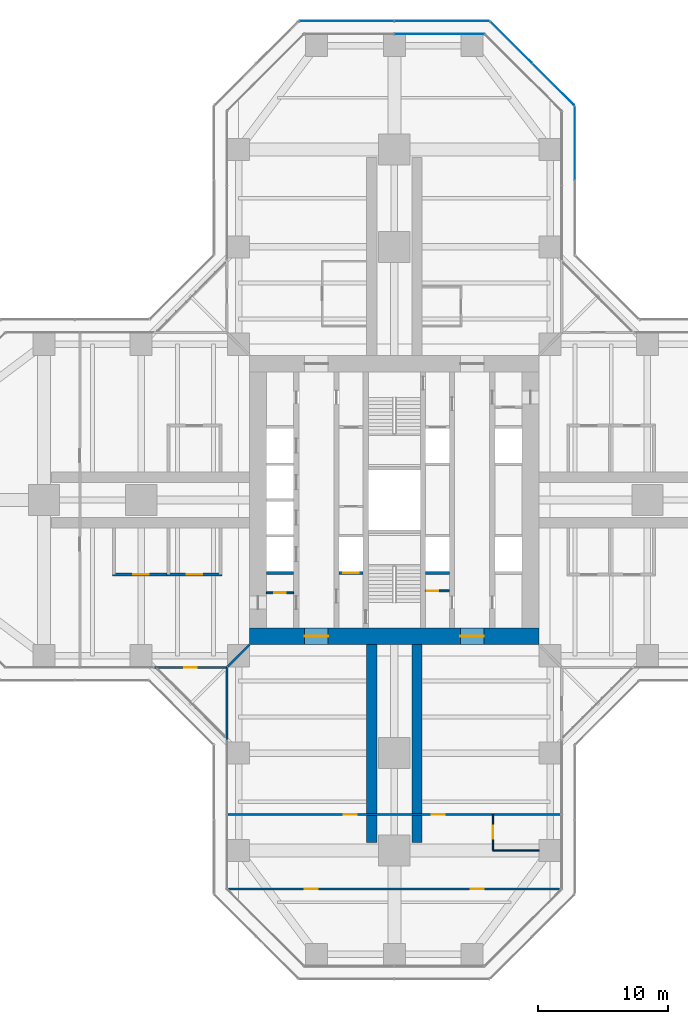
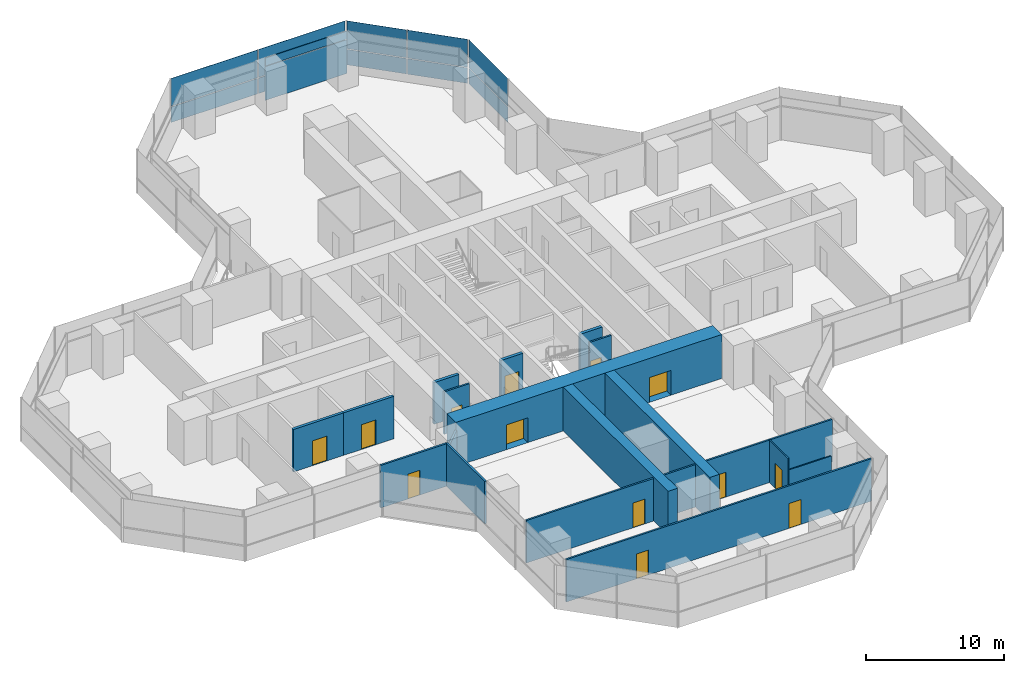
# One storey, part 17 of 22: 17 walls, 13 doors, 12 plates, 13 openings, 4 elements without a shape of their own.
"""IFC4 building model written with IfcOpenShell, lengths in metres."""

from ifc_helpers import new_model, si_unit, direction, frame, frame_2d, origin, origin_2d, place, context, subcontext, project, spatial, rectangle, extrude, material, layer, layer_set, type_object, element, fill, aggregate, save


model = new_model("IFC4")

# Units and contexts
model_context = context("Model", 3, precision=1e-05, world=origin(), true_north=direction((0.0, 1.0)))
body_context = subcontext(model_context, "Body", "Model", "MODEL_VIEW")
ifc_project = project(units=[si_unit("LENGTHUNIT", "METRE"), si_unit("AREAUNIT", "SQUARE_METRE"), si_unit("VOLUMEUNIT", "CUBIC_METRE"), si_unit("PLANEANGLEUNIT", "RADIAN"), si_unit("MASSUNIT", "GRAM", prefix="KILO")], contexts=[model_context])

# Site, building, storey
site_placement = place(None, origin())
site = spatial("IfcSite", under=ifc_project, at=site_placement, CompositionType="ELEMENT")
building_placement = place(site_placement, origin())
building = spatial("IfcBuilding", under=site, at=building_placement, Name="Mizan Broadcast Tower", CompositionType="ELEMENT")
storey_placement = place(building_placement, frame((0.0, 0.0, 55.199951171875)))
storey = spatial("IfcBuildingStorey", under=building, at=storey_placement, Name="L10", CompositionType="ELEMENT", Elevation=55.199951171875)

# Curtain wall, plates
ifc_material_1 = material(Name="Aluminium framed glazing", Category="aluminium")
curtain_wall_type_1 = type_object("IfcCurtainWallType", Name="INNER SKIN LOW ZONE", PredefinedType="USERDEFINED", material=ifc_material_1)
curtain_wall_1_placement = place(storey_placement, origin())
curtain_wall_1 = element("IfcCurtainWall", 1, at=curtain_wall_1_placement, inside=storey, type_object=curtain_wall_type_1, Name="Inner skin low zone L10 N end", ObjectType="INNER SKIN LOW ZONE", PredefinedType="USERDEFINED")
ifc_material_2 = material(Name="Double glazing, clear low-e", Category="glass")
ifc_layer_1 = layer(ifc_material_2, 0.028076171875)
ifc_layer_set_1 = layer_set([ifc_layer_1], Name="Double glazing, clear low-e")
plate_type_1 = type_object("IfcPlateType", Name="INNER SKIN GLAZING UNIT", PredefinedType="CURTAIN_PANEL", material=ifc_layer_set_1)
plate_1_placement = place(storey_placement, frame((3.46435546875, 35.89990234375, 0.0), z_axis=(0.0, 0.0, 1.0), x_axis=(-1.0, 0.0, 0.0)))
plate_1 = element("IfcPlate", 2, at=plate_1_placement, type_object=plate_type_1, Name="Inner skin low zone L10 N end panel 1.1", PredefinedType="CURTAIN_PANEL", context=body_context, shape_type="SweptSolid", body=[
    extrude(rectangle(XDim=6.86865234375, YDim=0.028076171875, at=origin_2d()), origin(), (0.0, 0.0, 1.0), 3.0),
])
ifc_material_3 = material(Name="Insulated aluminium spandrel panel, pale anodised", Category="aluminium")
ifc_layer_2 = layer(ifc_material_3, 0.050048828125)
ifc_layer_set_2 = layer_set([ifc_layer_2], Name="Insulated aluminium spandrel panel, pale anodised")
plate_type_2 = type_object("IfcPlateType", Name="INNER SKIN SPANDREL PANEL", PredefinedType="CURTAIN_PANEL", material=ifc_layer_set_2)
plate_2_placement = place(storey_placement, frame((3.46435546875, 35.89990234375, 3.06005859375), z_axis=(0.0, 0.0, 1.0), x_axis=(-1.0, 0.0, 0.0)))
plate_2 = element("IfcPlate", 3, at=plate_2_placement, type_object=plate_type_2, Name="Inner skin low zone L10 N end panel 1.2", PredefinedType="CURTAIN_PANEL", context=body_context, shape_type="SweptSolid", body=[
    extrude(rectangle(XDim=6.86865234375, YDim=0.050048828125, at=origin_2d()), origin(), (0.0, 0.0, 1.0), 0.7099609375),
])
aggregate(curtain_wall_1, [plate_1, plate_2])

ifc_material_4 = material(Name="Aluminium framed glazing", Category="aluminium")
curtain_wall_type_2 = type_object("IfcCurtainWallType", Name="OUTER SKIN", PredefinedType="USERDEFINED", material=ifc_material_4)
curtain_wall_2_placement = place(storey_placement, origin())
curtain_wall_2 = element("IfcCurtainWall", 4, at=curtain_wall_2_placement, inside=storey, type_object=curtain_wall_type_2, Name="Outer skin L10 N chamfer", ObjectType="OUTER SKIN", PredefinedType="USERDEFINED")
ifc_material_5 = material(Name="Laminated clear glass", Category="glass")
ifc_layer_3 = layer(ifc_material_5, 0.02001953125)
ifc_layer_set_3 = layer_set([ifc_layer_3], Name="Laminated clear glass")
plate_type_3 = type_object("IfcPlateType", Name="OUTER SKIN CLEAR GLASS", PredefinedType="CURTAIN_PANEL", material=ifc_layer_set_3)
plate_3_placement = place(storey_placement, frame((12.254150390625, 32.018798828125, 0.0), z_axis=(0.0, 0.0, 1.0), x_axis=(-0.707106781187, 0.707106781187, 0.0)))
plate_3 = element("IfcPlate", 5, at=plate_3_placement, type_object=plate_type_3, Name="Outer skin L10 N chamfer panel 1.1", PredefinedType="CURTAIN_PANEL", context=body_context, shape_type="SweptSolid", body=[
    extrude(rectangle(XDim=4.495361328125, YDim=0.02001953125, at=origin_2d()), origin(), (0.0, 0.0, 1.0), 1.3701171875),
])
plate_4_placement = place(storey_placement, frame((12.254150390625, 32.018798828125, 1.43017578125), z_axis=(0.0, 0.0, 1.0), x_axis=(-0.707106781187, 0.707106781187, 0.0)))
plate_4 = element("IfcPlate", 6, at=plate_4_placement, type_object=plate_type_3, Name="Outer skin L10 N chamfer panel 1.2", PredefinedType="CURTAIN_PANEL", context=body_context, shape_type="SweptSolid", body=[
    extrude(rectangle(XDim=4.495361328125, YDim=0.02001953125, at=origin_2d()), origin(), (0.0, 0.0, 1.0), 2.469970703125),
])

curtain_wall_3_placement = place(storey_placement, origin())
curtain_wall_3 = element("IfcCurtainWall", 7, at=curtain_wall_3_placement, inside=storey, type_object=curtain_wall_type_2, Name="Outer skin L10 N end", ObjectType="OUTER SKIN", PredefinedType="USERDEFINED")
plate_5_placement = place(storey_placement, frame((3.66650390625, 36.89990234375, 0.0), z_axis=(0.0, 0.0, 1.0), x_axis=(-1.0, 0.0, 0.0)))
plate_5 = element("IfcPlate", 8, at=plate_5_placement, type_object=plate_type_3, Name="Outer skin L10 N end panel 1.1", PredefinedType="CURTAIN_PANEL", context=body_context, shape_type="SweptSolid", body=[
    extrude(rectangle(XDim=7.252685546875, YDim=0.02001953125, at=origin_2d()), origin(), (0.0, 0.0, 1.0), 1.3701171875),
])
plate_6_placement = place(storey_placement, frame((3.66650390625, 36.89990234375, 1.43017578125), z_axis=(0.0, 0.0, 1.0), x_axis=(-1.0, 0.0, 0.0)))
plate_6 = element("IfcPlate", 9, at=plate_6_placement, type_object=plate_type_3, Name="Outer skin L10 N end panel 1.2", PredefinedType="CURTAIN_PANEL", context=body_context, shape_type="SweptSolid", body=[
    extrude(rectangle(XDim=7.252685546875, YDim=0.02001953125, at=origin_2d()), origin(), (0.0, 0.0, 1.0), 2.469970703125),
])
plate_7_placement = place(storey_placement, frame((-3.66650390625, 36.89990234375, 0.0), z_axis=(0.0, 0.0, 1.0), x_axis=(-1.0, 0.0, 0.0)))
plate_7 = element("IfcPlate", 10, at=plate_7_placement, type_object=plate_type_3, Name="Outer skin L10 N end panel 2.1", PredefinedType="CURTAIN_PANEL", context=body_context, shape_type="SweptSolid", body=[
    extrude(rectangle(XDim=7.252685546875, YDim=0.02001953125, at=origin_2d()), origin(), (0.0, 0.0, 1.0), 1.3701171875),
])
plate_8_placement = place(storey_placement, frame((-3.66650390625, 36.89990234375, 1.43017578125), z_axis=(0.0, 0.0, 1.0), x_axis=(-1.0, 0.0, 0.0)))
plate_8 = element("IfcPlate", 11, at=plate_8_placement, type_object=plate_type_3, Name="Outer skin L10 N end panel 2.2", PredefinedType="CURTAIN_PANEL", context=body_context, shape_type="SweptSolid", body=[
    extrude(rectangle(XDim=7.252685546875, YDim=0.02001953125, at=origin_2d()), origin(), (0.0, 0.0, 1.0), 2.469970703125),
])
aggregate(curtain_wall_3, [plate_5, plate_6, plate_7, plate_8])

curtain_wall_4_placement = place(storey_placement, origin())
curtain_wall_4 = element("IfcCurtainWall", 12, at=curtain_wall_4_placement, inside=storey, type_object=curtain_wall_type_2, Name="Outer skin L10 N side", ObjectType="OUTER SKIN", PredefinedType="USERDEFINED")
ifc_material_6 = material(Name="Perforated aluminium, pale anodised", Category="aluminium")
ifc_layer_4 = layer(ifc_material_6, 0.011962890625)
ifc_layer_set_4 = layer_set([ifc_layer_4], Name="Perforated aluminium, pale anodised")
plate_type_4 = type_object("IfcPlateType", Name="OUTER SKIN PERFORATED SCREEN", PredefinedType="USERDEFINED", material=ifc_layer_set_4)
plate_9_placement = place(storey_placement, frame((13.89990234375, 27.477783203125, 0.0), z_axis=(0.0, 0.0, 1.0), x_axis=(0.0, 1.0, 0.0)))
plate_9 = element("IfcPlate", 13, at=plate_9_placement, type_object=plate_type_4, Name="Outer skin L10 N side panel 2.1", ObjectType="SCREEN", PredefinedType="USERDEFINED", context=body_context, shape_type="SweptSolid", body=[
    extrude(rectangle(XDim=5.6298828125, YDim=0.011962890625, at=origin_2d()), origin(), (0.0, 0.0, 1.0), 1.3701171875),
])
plate_10_placement = place(storey_placement, frame((13.89990234375, 27.477783203125, 1.43017578125), z_axis=(0.0, 0.0, 1.0), x_axis=(0.0, 1.0, 0.0)))
plate_10 = element("IfcPlate", 14, at=plate_10_placement, type_object=plate_type_4, Name="Outer skin L10 N side panel 2.2", ObjectType="SCREEN", PredefinedType="USERDEFINED", context=body_context, shape_type="SweptSolid", body=[
    extrude(rectangle(XDim=5.6298828125, YDim=0.011962890625, at=origin_2d()), origin(), (0.0, 0.0, 1.0), 2.469970703125),
])
aggregate(curtain_wall_4, [plate_9, plate_10])

# Plate
plate_11_placement = place(storey_placement, frame((9.018798828125, 35.254150390625, 0.0), z_axis=(0.0, 0.0, 1.0), x_axis=(-0.707106781187, 0.707106781187, 0.0)))
plate_11 = element("IfcPlate", 15, at=plate_11_placement, type_object=plate_type_4, Name="Outer skin L10 N chamfer panel 2.1", ObjectType="SCREEN", PredefinedType="USERDEFINED", context=body_context, shape_type="SweptSolid", body=[
    extrude(rectangle(XDim=4.495361328125, YDim=0.011962890625, at=origin_2d()), origin(), (0.0, 0.0, 1.0), 1.3701171875),
])

plate_12_placement = place(storey_placement, frame((9.018798828125, 35.254150390625, 1.43017578125), z_axis=(0.0, 0.0, 1.0), x_axis=(-0.707106781187, 0.707106781187, 0.0)))
plate_12 = element("IfcPlate", 16, at=plate_12_placement, type_object=plate_type_4, Name="Outer skin L10 N chamfer panel 2.2", ObjectType="SCREEN", PredefinedType="USERDEFINED", context=body_context, shape_type="SweptSolid", body=[
    extrude(rectangle(XDim=4.495361328125, YDim=0.011962890625, at=origin_2d()), origin(), (0.0, 0.0, 1.0), 2.469970703125),
])

aggregate(curtain_wall_2, [plate_3, plate_4, plate_11, plate_12])

# Wall, opening, door
ifc_material_7 = material(Name="Concrete blockwork", Category="masonry")
ifc_layer_5 = layer(ifc_material_7, 0.14990234375)
ifc_layer_set_5 = layer_set([ifc_layer_5], Name="Concrete blockwork")
wall_type_1 = type_object("IfcWallType", Name="CORE PARTITION 150", PredefinedType="SOLIDWALL", material=ifc_layer_set_5)
wall_1_placement = place(storey_placement, frame((2.39990234375, -7.0, 0.0), z_axis=(0.0, 0.0, 1.0), x_axis=(1.0, 0.0, 0.0)))
wall_1 = element("IfcWall", 17, at=wall_1_placement, inside=storey, type_object=wall_type_1, Name="Core partition CORE/XPC", PredefinedType="SOLIDWALL", context=body_context, shape_type="SweptSolid", body=[
    extrude(rectangle(XDim=1.85009765625, YDim=0.14990234375, at=frame_2d((0.925048828125, 0.0))), origin(), (0.0, 0.0, 1.0), 3.77001953125),
])
opening_1_placement = place(wall_1_placement, frame((0.10009765625, 0.0, 0.0)))
opening_1 = element("IfcOpeningElement", 18, at=opening_1_placement, cuts=wall_1, Name="Opening D09F", PredefinedType="OPENING", context=body_context, shape_type="SweptSolid", body=[
    extrude(rectangle(XDim=0.89990234375, YDim=2.10009765625, at=frame_2d((0.449951171875, 1.050048828125))), frame((0.0, 0.0849609375, 0.0), z_axis=(0.0, -1.0, 0.0), x_axis=(1.0, 0.0, 0.0)), (0.0, 0.0, 1.0), 0.169921875),
])
ifc_material_8 = material(Name="Steel door leaf in steel frame", Category="steel")
door_type_1 = type_object("IfcDoorType", Name="CORE ROOM DOOR 900 FD90", OperationType="SINGLE_SWING_LEFT", PredefinedType="DOOR", material=ifc_material_8)
door_1_placement = place(opening_1_placement, origin())
door_1 = element("IfcDoor", 19, at=door_1_placement, inside=storey, type_object=door_type_1, Name="Cleaning materials store door", OperationType="SINGLE_SWING_LEFT", OverallHeight=2.10009765625, OverallWidth=0.89990234375, PredefinedType="DOOR", context=body_context, shape_type="SweptSolid", body=[
    extrude(rectangle(XDim=0.89990234375, YDim=2.10009765625, at=frame_2d((0.449951171875, 1.050048828125))), frame((0.0, 0.02490234375, 0.0), z_axis=(0.0, -1.0, 0.0), x_axis=(1.0, 0.0, 0.0)), (0.0, 0.0, 1.0), 0.050048828125),
])
fill(opening_1, door_1)

wall_2_placement = place(storey_placement, frame((-9.85009765625, -7.14990234375, 0.0), z_axis=(0.0, 0.0, 1.0), x_axis=(1.0, 0.0, 0.0)))
wall_2 = element("IfcWall", 20, at=wall_2_placement, inside=storey, type_object=wall_type_1, Name="Core partition CORE/XPW", PredefinedType="SOLIDWALL", context=body_context, shape_type="SweptSolid", body=[
    extrude(rectangle(XDim=2.10009765625, YDim=0.14990234375, at=frame_2d((1.050048828125, 0.0))), origin(), (0.0, 0.0, 1.0), 3.77001953125),
])
opening_2_placement = place(wall_2_placement, frame((0.60009765625, 0.0, 0.0)))
opening_2 = element("IfcOpeningElement", 21, at=opening_2_placement, cuts=wall_2, Name="Opening D09F", PredefinedType="OPENING", context=body_context, shape_type="SweptSolid", body=[
    extrude(rectangle(XDim=0.89990234375, YDim=2.10009765625, at=frame_2d((0.449951171875, 1.050048828125))), frame((0.0, 0.0849609375, 0.0), z_axis=(0.0, -1.0, 0.0), x_axis=(1.0, 0.0, 0.0)), (0.0, 0.0, 1.0), 0.169921875),
])
door_2_placement = place(opening_2_placement, origin())
door_2 = element("IfcDoor", 22, at=door_2_placement, inside=storey, type_object=door_type_1, Name="Fire hose reel cupboard door", OperationType="SINGLE_SWING_RIGHT", OverallHeight=2.10009765625, OverallWidth=0.89990234375, PredefinedType="DOOR", context=body_context, shape_type="SweptSolid", body=[
    extrude(rectangle(XDim=0.89990234375, YDim=2.10009765625, at=frame_2d((0.449951171875, 1.050048828125))), frame((0.0, 0.02490234375, 0.0), z_axis=(0.0, -1.0, 0.0), x_axis=(1.0, 0.0, 0.0)), (0.0, 0.0, 1.0), 0.050048828125),
])
fill(opening_2, door_2)

# Wall, openings, doors
ifc_material_9 = material(Name="Concrete C70/85", Category="concrete")
ifc_layer_6 = layer(ifc_material_9, 1.300048828125)
ifc_layer_set_6 = layer_set([ifc_layer_6], Name="Concrete C70/85")
wall_type_2 = type_object("IfcWallType", Name="CORE WALL 1300", PredefinedType="SHEAR", material=ifc_layer_set_6)
wall_3_placement = place(storey_placement, frame((11.14990234375, -10.5, 0.0), z_axis=(0.0, 0.0, 1.0), x_axis=(-1.0, 0.0, 0.0)))
wall_3 = element("IfcWall", 23, at=wall_3_placement, inside=storey, type_object=wall_type_2, Name="Core wall S L10", PredefinedType="SHEAR", context=body_context, shape_type="SweptSolid", body=[
    extrude(rectangle(XDim=22.2998046875, YDim=1.300048828125, at=frame_2d((11.14990234375, 0.0))), origin(), (0.0, 0.0, 1.0), 3.900146484375),
])
opening_3_placement = place(wall_3_placement, frame((16.25, 0.0, 0.0)))
opening_3 = element("IfcOpeningElement", 24, at=opening_3_placement, cuts=wall_3, Name="Opening D18F", PredefinedType="OPENING", context=body_context, shape_type="SweptSolid", body=[
    extrude(rectangle(XDim=1.800048828125, YDim=2.199951171875, at=frame_2d((0.89990234375, 1.10009765625))), frame((0.0, 0.659912109375, 0.0), z_axis=(0.0, -1.0, 0.0), x_axis=(1.0, 0.0, 0.0)), (0.0, 0.0, 1.0), 1.320068359375),
])
opening_4_placement = place(wall_3_placement, frame((4.25, 0.0, 0.0)))
opening_4 = element("IfcOpeningElement", 25, at=opening_4_placement, cuts=wall_3, Name="Opening D18F", PredefinedType="OPENING", context=body_context, shape_type="SweptSolid", body=[
    extrude(rectangle(XDim=1.800048828125, YDim=2.199951171875, at=frame_2d((0.89990234375, 1.10009765625))), frame((0.0, 0.659912109375, 0.0), z_axis=(0.0, -1.0, 0.0), x_axis=(1.0, 0.0, 0.0)), (0.0, 0.0, 1.0), 1.320068359375),
])
ifc_material_10 = material(Name="Steel door leaf in steel frame", Category="steel")
door_type_2 = type_object("IfcDoorType", Name="LOBBY DOUBLE DOOR 1800 FD90", OperationType="DOUBLE_DOOR_DOUBLE_SWING", PredefinedType="DOOR", material=ifc_material_10)
door_3_placement = place(opening_3_placement, origin())
door_3 = element("IfcDoor", 26, at=door_3_placement, inside=storey, type_object=door_type_2, Name="West lift lobby south door", OperationType="DOUBLE_DOOR_DOUBLE_SWING", OverallHeight=2.199951171875, OverallWidth=1.800048828125, PredefinedType="DOOR", context=body_context, shape_type="SweptSolid", body=[
    extrude(rectangle(XDim=1.800048828125, YDim=2.199951171875, at=frame_2d((0.89990234375, 1.10009765625))), frame((0.0, 0.02490234375, 0.0), z_axis=(0.0, -1.0, 0.0), x_axis=(1.0, 0.0, 0.0)), (0.0, 0.0, 1.0), 0.050048828125),
])
fill(opening_3, door_3)
door_4_placement = place(opening_4_placement, origin())
door_4 = element("IfcDoor", 27, at=door_4_placement, inside=storey, type_object=door_type_2, Name="East lift lobby south door", OperationType="DOUBLE_DOOR_DOUBLE_SWING", OverallHeight=2.199951171875, OverallWidth=1.800048828125, PredefinedType="DOOR", context=body_context, shape_type="SweptSolid", body=[
    extrude(rectangle(XDim=1.800048828125, YDim=2.199951171875, at=frame_2d((0.89990234375, 1.10009765625))), frame((0.0, 0.02490234375, 0.0), z_axis=(0.0, -1.0, 0.0), x_axis=(1.0, 0.0, 0.0)), (0.0, 0.0, 1.0), 0.050048828125),
])
fill(opening_4, door_4)

# Wall, opening, door
ifc_material_11 = material(Name="Aluminium framed glazed screen", Category="aluminium")
ifc_layer_7 = layer(ifc_material_11, 0.159912109375)
ifc_layer_set_7 = layer_set([ifc_layer_7], Name="Aluminium framed glazed screen")
wall_type_3 = type_object("IfcWallType", Name="GLAZED SCREEN WALL 160", PredefinedType="SOLIDWALL", material=ifc_layer_set_7)
wall_4_placement = place(storey_placement, frame((-18.5, -12.89990234375, 0.0), z_axis=(0.0, 0.0, 1.0), x_axis=(1.0, 0.0, 0.0)))
wall_4 = element("IfcWall", 28, at=wall_4_placement, inside=storey, type_object=wall_type_3, Name="Winter garden screen L10 W", PredefinedType="SOLIDWALL", context=body_context, shape_type="SweptSolid", body=[
    extrude(rectangle(XDim=5.60009765625, YDim=0.159912109375, at=frame_2d((2.800048828125, 0.0))), origin(), (0.0, 0.0, 1.0), 3.77001953125),
])
opening_5_placement = place(wall_4_placement, frame((2.300048828125, 0.0, 0.0)))
opening_5 = element("IfcOpeningElement", 29, at=opening_5_placement, cuts=wall_4, Name="Opening WGD", PredefinedType="OPENING", context=body_context, shape_type="SweptSolid", body=[
    extrude(rectangle(XDim=1.0, YDim=2.199951171875, at=frame_2d((0.5, 1.10009765625))), frame((0.0, 0.08984375, 0.0), z_axis=(0.0, -1.0, 0.0), x_axis=(1.0, 0.0, 0.0)), (0.0, 0.0, 1.0), 0.179931640625),
])
ifc_material_12 = material(Name="Aluminium framed glazed door", Category="aluminium")
door_type_3 = type_object("IfcDoorType", Name="WINTER GARDEN DOOR 1000 GLAZED", OperationType="SINGLE_SWING_LEFT", PredefinedType="DOOR", material=ifc_material_12)
door_5_placement = place(opening_5_placement, origin())
door_5 = element("IfcDoor", 30, at=door_5_placement, inside=storey, type_object=door_type_3, Name="Winter garden door L10 W", OperationType="SINGLE_SWING_RIGHT", OverallHeight=2.199951171875, OverallWidth=1.0, PredefinedType="DOOR", context=body_context, shape_type="SweptSolid", body=[
    extrude(rectangle(XDim=1.0, YDim=2.199951171875, at=frame_2d((0.5, 1.10009765625))), frame((0.0, 0.02490234375, 0.0), z_axis=(0.0, -1.0, 0.0), x_axis=(1.0, 0.0, 0.0)), (0.0, 0.0, 1.0), 0.050048828125),
])
fill(opening_5, door_5)

# Walls
wall_5_placement = place(storey_placement, frame((-12.89990234375, -12.89990234375, 0.0), z_axis=(0.0, 0.0, 1.0), x_axis=(0.0, -1.0, 0.0)))
element("IfcWall", 31, at=wall_5_placement, inside=storey, type_object=wall_type_3, Name="Winter garden screen L10 S", PredefinedType="SOLIDWALL", context=body_context, shape_type="SweptSolid", body=[
    extrude(rectangle(XDim=5.60009765625, YDim=0.159912109375, at=frame_2d((2.800048828125, 0.0))), origin(), (0.0, 0.0, 1.0), 3.77001953125),
])
ifc_material_13 = material(Name="Concrete blockwork", Category="masonry")
ifc_layer_8 = layer(ifc_material_13, 0.25)
ifc_layer_set_8 = layer_set([ifc_layer_8], Name="Concrete blockwork")
wall_type_4 = type_object("IfcWallType", Name="LOBBY ENCLOSURE WALL 250", PredefinedType="SOLIDWALL", material=ifc_layer_set_8)
wall_6_placement = place(storey_placement, frame((-9.85009765625, -5.625, 0.0), z_axis=(0.0, 0.0, 1.0), x_axis=(1.0, 0.0, 0.0)))
element("IfcWall", 32, at=wall_6_placement, inside=storey, type_object=wall_type_4, Name="Lobby enclosure wall CORE/BW1S", PredefinedType="SOLIDWALL", context=body_context, shape_type="SweptSolid", body=[
    extrude(rectangle(XDim=2.10009765625, YDim=0.25, at=frame_2d((1.050048828125, 0.0))), origin(), (0.0, 0.0, 1.0), 3.699951171875),
])

# Wall, opening, door
wall_7_placement = place(storey_placement, frame((-4.25, -5.625, 0.0), z_axis=(0.0, 0.0, 1.0), x_axis=(1.0, 0.0, 0.0)))
wall_7 = element("IfcWall", 33, at=wall_7_placement, inside=storey, type_object=wall_type_4, Name="Lobby enclosure wall CORE/BW2S", PredefinedType="SOLIDWALL", context=body_context, shape_type="SweptSolid", body=[
    extrude(rectangle(XDim=1.85009765625, YDim=0.25, at=frame_2d((0.925048828125, 0.0))), origin(), (0.0, 0.0, 1.0), 3.699951171875),
])
opening_6_placement = place(wall_7_placement, frame((0.324951171875, 0.0, 0.0)))
opening_6 = element("IfcOpeningElement", 34, at=opening_6_placement, cuts=wall_7, Name="Opening LDF", PredefinedType="OPENING", context=body_context, shape_type="SweptSolid", body=[
    extrude(rectangle(XDim=1.199951171875, YDim=2.199951171875, at=frame_2d((0.60009765625, 1.10009765625))), frame((0.0, 0.135009765625, 0.0), z_axis=(0.0, -1.0, 0.0), x_axis=(1.0, 0.0, 0.0)), (0.0, 0.0, 1.0), 0.27001953125),
])
ifc_material_14 = material(Name="Steel door leaf in steel frame", Category="steel")
door_type_4 = type_object("IfcDoorType", Name="FIREFIGHTING LIFT LANDING DOOR 1200", OperationType="SLIDING_TO_LEFT", PredefinedType="DOOR", material=ifc_material_14)
door_6_placement = place(opening_6_placement, origin())
door_6 = element("IfcDoor", 35, at=door_6_placement, inside=storey, type_object=door_type_4, Name="Landing door FF1", OperationType="SLIDING_TO_LEFT", OverallHeight=2.199951171875, OverallWidth=1.199951171875, PredefinedType="DOOR", context=body_context, shape_type="SweptSolid", body=[
    extrude(rectangle(XDim=1.199951171875, YDim=2.199951171875, at=frame_2d((0.60009765625, 1.10009765625))), frame((0.0, 0.02490234375, 0.0), z_axis=(0.0, -1.0, 0.0), x_axis=(1.0, 0.0, 0.0)), (0.0, 0.0, 1.0), 0.050048828125),
])
fill(opening_6, door_6)

# Wall
wall_8_placement = place(storey_placement, frame((2.39990234375, -5.625, 0.0), z_axis=(0.0, 0.0, 1.0), x_axis=(1.0, 0.0, 0.0)))
element("IfcWall", 36, at=wall_8_placement, inside=storey, type_object=wall_type_4, Name="Lobby enclosure wall CORE/BE2S", PredefinedType="SOLIDWALL", context=body_context, shape_type="SweptSolid", body=[
    extrude(rectangle(XDim=1.85009765625, YDim=0.25, at=frame_2d((0.925048828125, 0.0))), origin(), (0.0, 0.0, 1.0), 3.699951171875),
])

# Wall, openings, doors
ifc_material_15 = material(Name="Gypsum board on steel studs", Category="steel")
ifc_layer_9 = layer(ifc_material_15, 0.14990234375)
ifc_layer_set_9 = layer_set([ifc_layer_9], Name="Gypsum board on steel studs")
wall_type_5 = type_object("IfcWallType", Name="PARTITION 150", PredefinedType="PARTITIONING", material=ifc_layer_set_9)
wall_9_placement = place(storey_placement, frame((-12.820068359375, -24.22900390625, 0.0), z_axis=(0.0, 0.0, 1.0), x_axis=(1.0, 0.0, 0.0)))
wall_9 = element("IfcWall", 37, at=wall_9_placement, inside=storey, type_object=wall_type_5, Name="Partition PT/SX1", PredefinedType="PARTITIONING", context=body_context, shape_type="SweptSolid", body=[
    extrude(rectangle(XDim=25.64013671875, YDim=0.14990234375, at=frame_2d((12.820068359375, 0.0))), origin(), (0.0, 0.0, 1.0), 3.77001953125),
])
opening_7_placement = place(wall_9_placement, frame((15.719970703125, 0.0, 0.0)))
opening_7 = element("IfcOpeningElement", 38, at=opening_7_placement, cuts=wall_9, Name="Opening D10", PredefinedType="OPENING", context=body_context, shape_type="SweptSolid", body=[
    extrude(rectangle(XDim=1.0, YDim=2.199951171875, at=frame_2d((0.5, 1.10009765625))), frame((0.0, 0.0849609375, 0.0), z_axis=(0.0, -1.0, 0.0), x_axis=(1.0, 0.0, 0.0)), (0.0, 0.0, 1.0), 0.169921875),
])
opening_8_placement = place(wall_9_placement, frame((8.919921875, 0.0, 0.0)))
opening_8 = element("IfcOpeningElement", 39, at=opening_8_placement, cuts=wall_9, Name="Opening D10", PredefinedType="OPENING", context=body_context, shape_type="SweptSolid", body=[
    extrude(rectangle(XDim=1.0, YDim=2.199951171875, at=frame_2d((0.5, 1.10009765625))), frame((0.0, 0.0849609375, 0.0), z_axis=(0.0, -1.0, 0.0), x_axis=(1.0, 0.0, 0.0)), (0.0, 0.0, 1.0), 0.169921875),
])
ifc_material_16 = material(Name="Timber door leaf in aluminium frame", Category="wood")
door_type_5 = type_object("IfcDoorType", Name="ROOM DOOR 1000", OperationType="SINGLE_SWING_LEFT", PredefinedType="DOOR", material=ifc_material_16)
door_7_placement = place(opening_7_placement, origin())
door_7 = element("IfcDoor", 40, at=door_7_placement, inside=storey, type_object=door_type_5, Name="Open office door", OperationType="SINGLE_SWING_RIGHT", OverallHeight=2.199951171875, OverallWidth=1.0, PredefinedType="DOOR", context=body_context, shape_type="SweptSolid", body=[
    extrude(rectangle(XDim=1.0, YDim=2.199951171875, at=frame_2d((0.5, 1.10009765625))), frame((0.0, 0.02490234375, 0.0), z_axis=(0.0, -1.0, 0.0), x_axis=(1.0, 0.0, 0.0)), (0.0, 0.0, 1.0), 0.050048828125),
])
fill(opening_7, door_7)
door_8_placement = place(opening_8_placement, origin())
door_8 = element("IfcDoor", 41, at=door_8_placement, inside=storey, type_object=door_type_5, Name="Open office door", OperationType="SINGLE_SWING_LEFT", OverallHeight=2.199951171875, OverallWidth=1.0, PredefinedType="DOOR", context=body_context, shape_type="SweptSolid", body=[
    extrude(rectangle(XDim=1.0, YDim=2.199951171875, at=frame_2d((0.5, 1.10009765625))), frame((0.0, 0.02490234375, 0.0), z_axis=(0.0, -1.0, 0.0), x_axis=(1.0, 0.0, 0.0)), (0.0, 0.0, 1.0), 0.050048828125),
])
fill(opening_8, door_8)

wall_10_placement = place(storey_placement, frame((-12.786376953125, -29.958984375, 0.0), z_axis=(0.0, 0.0, 1.0), x_axis=(1.0, 0.0, 0.0)))
wall_10 = element("IfcWall", 42, at=wall_10_placement, inside=storey, type_object=wall_type_5, Name="Partition PT/SX2", PredefinedType="PARTITIONING", context=body_context, shape_type="SweptSolid", body=[
    extrude(rectangle(XDim=25.57275390625, YDim=0.14990234375, at=frame_2d((12.786376953125, 0.0))), origin(), (0.0, 0.0, 1.0), 3.77001953125),
])
opening_9_placement = place(wall_10_placement, frame((18.6865234375, 0.0, 0.0)))
opening_9 = element("IfcOpeningElement", 43, at=opening_9_placement, cuts=wall_10, Name="Opening D10", PredefinedType="OPENING", context=body_context, shape_type="SweptSolid", body=[
    extrude(rectangle(XDim=1.0, YDim=2.199951171875, at=frame_2d((0.5, 1.10009765625))), frame((0.0, 0.0849609375, 0.0), z_axis=(0.0, -1.0, 0.0), x_axis=(1.0, 0.0, 0.0)), (0.0, 0.0, 1.0), 0.169921875),
])
opening_10_placement = place(wall_10_placement, frame((5.886474609375, 0.0, 0.0)))
opening_10 = element("IfcOpeningElement", 44, at=opening_10_placement, cuts=wall_10, Name="Opening D10", PredefinedType="OPENING", context=body_context, shape_type="SweptSolid", body=[
    extrude(rectangle(XDim=1.0, YDim=2.199951171875, at=frame_2d((0.5, 1.10009765625))), frame((0.0, 0.0849609375, 0.0), z_axis=(0.0, -1.0, 0.0), x_axis=(1.0, 0.0, 0.0)), (0.0, 0.0, 1.0), 0.169921875),
])
door_9_placement = place(opening_9_placement, origin())
door_9 = element("IfcDoor", 45, at=door_9_placement, inside=storey, type_object=door_type_5, Name="Meeting room door", OperationType="SINGLE_SWING_RIGHT", OverallHeight=2.199951171875, OverallWidth=1.0, PredefinedType="DOOR", context=body_context, shape_type="SweptSolid", body=[
    extrude(rectangle(XDim=1.0, YDim=2.199951171875, at=frame_2d((0.5, 1.10009765625))), frame((0.0, 0.02490234375, 0.0), z_axis=(0.0, -1.0, 0.0), x_axis=(1.0, 0.0, 0.0)), (0.0, 0.0, 1.0), 0.050048828125),
])
fill(opening_9, door_9)
door_10_placement = place(opening_10_placement, origin())
door_10 = element("IfcDoor", 46, at=door_10_placement, inside=storey, type_object=door_type_5, Name="Meeting room door", OperationType="SINGLE_SWING_LEFT", OverallHeight=2.199951171875, OverallWidth=1.0, PredefinedType="DOOR", context=body_context, shape_type="SweptSolid", body=[
    extrude(rectangle(XDim=1.0, YDim=2.199951171875, at=frame_2d((0.5, 1.10009765625))), frame((0.0, 0.02490234375, 0.0), z_axis=(0.0, -1.0, 0.0), x_axis=(1.0, 0.0, 0.0)), (0.0, 0.0, 1.0), 0.050048828125),
])
fill(opening_10, door_10)

# Wall
wall_11_placement = place(storey_placement, frame((-11.14990234375, -11.14990234375, 0.0), z_axis=(0.0, 0.0, 1.0), x_axis=(-0.707106781187, -0.707106781187, 0.0)))
element("IfcWall", 47, at=wall_11_placement, inside=storey, type_object=wall_type_5, Name="Partition PT/DGWS", PredefinedType="PARTITIONING", context=body_context, shape_type="SweptSolid", body=[
    extrude(rectangle(XDim=2.362060546875, YDim=0.14990234375, at=frame_2d((1.18115234375, 0.0))), origin(), (0.0, 0.0, 1.0), 3.219970703125),
])

# Wall, opening, door
ifc_material_17 = material(Name="Twin steel stud acoustic partition, four layers of gypsum board", Category="steel")
ifc_layer_10 = layer(ifc_material_17, 0.22509765625)
ifc_layer_set_10 = layer_set([ifc_layer_10], Name="Twin steel stud acoustic partition, four layers of gypsum board")
wall_type_6 = type_object("IfcWallType", Name="PARTITION ACOUSTIC 225", PredefinedType="PARTITIONING", material=ifc_layer_set_10)
wall_12_placement = place(storey_placement, frame((-13.28759765625, -5.75, 0.0), z_axis=(0.0, 0.0, 1.0), x_axis=(-1.0, 0.0, 0.0)))
wall_12 = element("IfcWall", 48, at=wall_12_placement, inside=storey, type_object=wall_type_6, Name="Acoustic partition PT/WKP0f", PredefinedType="PARTITIONING", context=body_context, shape_type="SweptSolid", body=[
    extrude(rectangle(XDim=4.224853515625, YDim=0.22509765625, at=frame_2d((2.1123046875, 0.0))), origin(), (0.0, 0.0, 1.0), 3.77001953125),
])
opening_11_placement = place(wall_12_placement, frame((1.512451171875, 0.0, 0.0)))
opening_11 = element("IfcOpeningElement", 49, at=opening_11_placement, cuts=wall_12, Name="Opening D12A", PredefinedType="OPENING", context=body_context, shape_type="SweptSolid", body=[
    extrude(rectangle(XDim=1.199951171875, YDim=2.199951171875, at=frame_2d((0.60009765625, 1.10009765625))), frame((0.0, 0.12255859375, 0.0), z_axis=(0.0, -1.0, 0.0), x_axis=(1.0, 0.0, 0.0)), (0.0, 0.0, 1.0), 0.2451171875),
])
ifc_material_18 = material(Name="Timber door leaf in aluminium frame", Category="wood")
door_type_6 = type_object("IfcDoorType", Name="ACOUSTIC DOOR 1200", OperationType="SINGLE_SWING_LEFT", PredefinedType="DOOR", material=ifc_material_18)
door_11_placement = place(opening_11_placement, origin())
door_11 = element("IfcDoor", 50, at=door_11_placement, inside=storey, type_object=door_type_6, Name="Colour grading suite door", OperationType="SINGLE_SWING_LEFT", OverallHeight=2.199951171875, OverallWidth=1.199951171875, PredefinedType="DOOR", context=body_context, shape_type="SweptSolid", body=[
    extrude(rectangle(XDim=1.199951171875, YDim=2.199951171875, at=frame_2d((0.60009765625, 1.10009765625))), frame((0.0, 0.02490234375, 0.0), z_axis=(0.0, -1.0, 0.0), x_axis=(1.0, 0.0, 0.0)), (0.0, 0.0, 1.0), 0.050048828125),
])
fill(opening_11, door_11)

wall_13_placement = place(storey_placement, frame((-17.512451171875, -5.75, 0.0), z_axis=(0.0, 0.0, 1.0), x_axis=(-1.0, 0.0, 0.0)))
wall_13 = element("IfcWall", 51, at=wall_13_placement, inside=storey, type_object=wall_type_6, Name="Acoustic partition PT/WKP1f", PredefinedType="PARTITIONING", context=body_context, shape_type="SweptSolid", body=[
    extrude(rectangle(XDim=4.199951171875, YDim=0.22509765625, at=frame_2d((2.10009765625, 0.0))), origin(), (0.0, 0.0, 1.0), 3.77001953125),
])
opening_12_placement = place(wall_13_placement, frame((1.387451171875, 0.0, 0.0)))
opening_12 = element("IfcOpeningElement", 52, at=opening_12_placement, cuts=wall_13, Name="Opening D12A", PredefinedType="OPENING", context=body_context, shape_type="SweptSolid", body=[
    extrude(rectangle(XDim=1.199951171875, YDim=2.199951171875, at=frame_2d((0.60009765625, 1.10009765625))), frame((0.0, 0.12255859375, 0.0), z_axis=(0.0, -1.0, 0.0), x_axis=(1.0, 0.0, 0.0)), (0.0, 0.0, 1.0), 0.2451171875),
])
door_12_placement = place(opening_12_placement, origin())
door_12 = element("IfcDoor", 53, at=door_12_placement, inside=storey, type_object=door_type_6, Name="Colour grading suite door", OperationType="SINGLE_SWING_LEFT", OverallHeight=2.199951171875, OverallWidth=1.199951171875, PredefinedType="DOOR", context=body_context, shape_type="SweptSolid", body=[
    extrude(rectangle(XDim=1.199951171875, YDim=2.199951171875, at=frame_2d((0.60009765625, 1.10009765625))), frame((0.0, 0.02490234375, 0.0), z_axis=(0.0, -1.0, 0.0), x_axis=(1.0, 0.0, 0.0)), (0.0, 0.0, 1.0), 0.050048828125),
])
fill(opening_12, door_12)

ifc_material_19 = material(Name="Glazed aluminium partition on aluminium track", Category="aluminium")
ifc_layer_11 = layer(ifc_material_19, 0.10009765625)
ifc_layer_set_11 = layer_set([ifc_layer_11], Name="Glazed aluminium partition on aluminium track")
wall_type_7 = type_object("IfcWallType", Name="PARTITION GLAZED OFFICE FRONT 100", PredefinedType="PARTITIONING", material=ifc_layer_set_11)
wall_14_placement = place(storey_placement, frame((7.60009765625, -24.22900390625, 0.0), z_axis=(0.0, 0.0, 1.0), x_axis=(0.0, -1.0, 0.0)))
wall_14 = element("IfcWall", 54, at=wall_14_placement, inside=storey, type_object=wall_type_7, Name="Glazed office front PT/SCP0", PredefinedType="PARTITIONING", context=body_context, shape_type="SweptSolid", body=[
    extrude(rectangle(XDim=2.77099609375, YDim=0.10009765625, at=frame_2d((1.385498046875, 0.0))), origin(), (0.0, 0.0, 1.0), 3.77001953125),
])
opening_13_placement = place(wall_14_placement, frame((0.885498046875, 0.0, 0.0)))
opening_13 = element("IfcOpeningElement", 55, at=opening_13_placement, cuts=wall_14, Name="Opening D10O", PredefinedType="OPENING", context=body_context, shape_type="SweptSolid", body=[
    extrude(rectangle(XDim=1.0, YDim=2.199951171875, at=frame_2d((0.5, 1.10009765625))), frame((0.0, 0.06005859375, 0.0), z_axis=(0.0, -1.0, 0.0), x_axis=(1.0, 0.0, 0.0)), (0.0, 0.0, 1.0), 0.1201171875),
])
ifc_material_20 = material(Name="Timber door leaf in aluminium frame", Category="wood")
door_type_7 = type_object("IfcDoorType", Name="OFFICE DOOR 1000 GLAZED", OperationType="SINGLE_SWING_LEFT", PredefinedType="DOOR", material=ifc_material_20)
door_13_placement = place(opening_13_placement, origin())
door_13 = element("IfcDoor", 56, at=door_13_placement, inside=storey, type_object=door_type_7, Name="Office door", OperationType="SINGLE_SWING_LEFT", OverallHeight=2.199951171875, OverallWidth=1.0, PredefinedType="DOOR", context=body_context, shape_type="SweptSolid", body=[
    extrude(rectangle(XDim=1.0, YDim=2.199951171875, at=frame_2d((0.5, 1.10009765625))), frame((0.0, 0.02490234375, 0.0), z_axis=(0.0, -1.0, 0.0), x_axis=(1.0, 0.0, 0.0)), (0.0, 0.0, 1.0), 0.050048828125),
])
fill(opening_13, door_13)

# Walls
wall_15_placement = place(storey_placement, frame((7.60009765625, -27.0, 0.0), z_axis=(0.0, 0.0, 1.0), x_axis=(1.0, 0.0, 0.0)))
element("IfcWall", 57, at=wall_15_placement, inside=storey, type_object=wall_type_7, Name="Glazed office front PT/SQP2700", PredefinedType="PARTITIONING", context=body_context, shape_type="SweptSolid", body=[
    extrude(rectangle(XDim=3.5498046875, YDim=0.10009765625, at=frame_2d((1.77490234375, 0.0))), origin(), (0.0, 0.0, 1.0), 2.77001953125),
])
ifc_material_21 = material(Name="Concrete C70/85", Category="concrete")
ifc_layer_12 = layer(ifc_material_21, 0.800048828125)
ifc_layer_set_12 = layer_set([ifc_layer_12], Name="Concrete C70/85")
wall_type_8 = type_object("IfcWallType", Name="SPINE WALL 800", PredefinedType="SHEAR", material=ifc_layer_set_12)
for number, where, z_axis, x_axis, name in (
    (58, (-1.75, -11.14990234375, 0.0), (0.0, 0.0, 1.0), (0.0, -1.0, 0.0), "Spine wall SR L10"),
    (59, (1.75, -11.14990234375, 0.0), (0.0, 0.0, 1.0), (0.0, -1.0, 0.0), "Spine wall SL L10"),
):
    element("IfcWall", number, at=place(storey_placement, frame(where, z_axis=z_axis, x_axis=x_axis)), inside=storey, type_object=wall_type_8, Name=name, PredefinedType="SHEAR", context=body_context, shape_type="SweptSolid", body=[
        extrude(rectangle(XDim=15.25, YDim=0.800048828125, at=frame_2d((7.625, 0.0))), origin(), (0.0, 0.0, 1.0), 3.900146484375),
    ])

save(model, "model.ifc")
